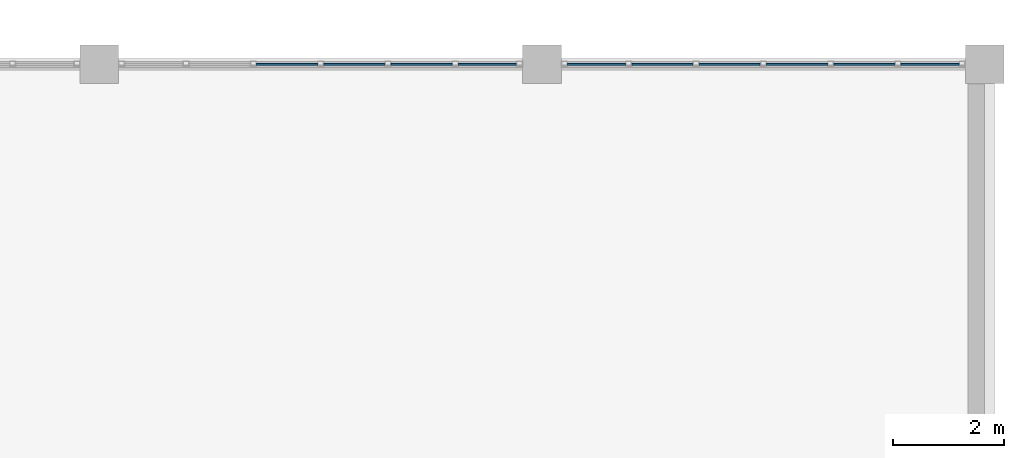
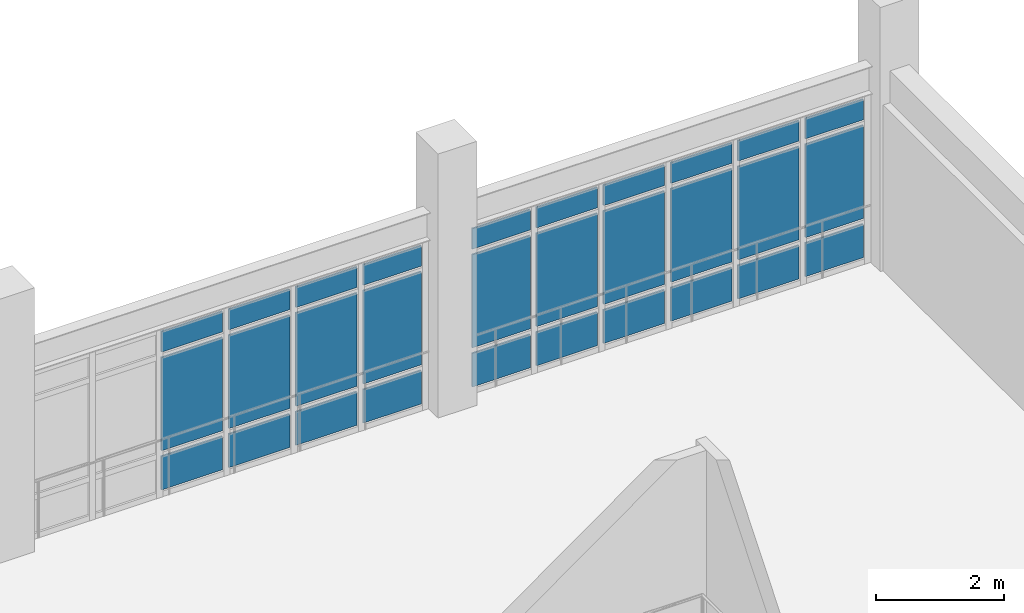
# One storey, part 115 of 159: 30 plates, 2 elements without a shape of their own.
"""IFC4 building model written with IfcOpenShell, lengths in metres."""

from ifc_helpers import new_model, si_unit, direction, frame, origin, origin_2d, place, context, subcontext, project, spatial, rectangle, extrude, material, layer, layer_set, type_object, element, aggregate, save


model = new_model("IFC4")

# Units and contexts
model_context = context("Model", 3, precision=1e-05, world=origin(), true_north=direction((0.0, 1.0)))
body_context = subcontext(model_context, "Body", "Model", "MODEL_VIEW")
ifc_project = project(units=[si_unit("LENGTHUNIT", "METRE"), si_unit("AREAUNIT", "SQUARE_METRE"), si_unit("VOLUMEUNIT", "CUBIC_METRE"), si_unit("PLANEANGLEUNIT", "RADIAN"), si_unit("MASSUNIT", "GRAM", prefix="KILO")], contexts=[model_context])

# Site, building, storey
site_placement = place(None, origin())
site = spatial("IfcSite", under=ifc_project, at=site_placement, CompositionType="ELEMENT")
building_placement = place(site_placement, origin())
building = spatial("IfcBuilding", under=site, at=building_placement, Name="Celadon Cloister-Ring School", CompositionType="ELEMENT")
storey_placement = place(building_placement, frame((0.0, 0.0, 4.5)))
storey = spatial("IfcBuildingStorey", under=building, at=storey_placement, Name="L01", CompositionType="ELEMENT", Elevation=4.5)

# Curtain wall, plates
ifc_material_1 = material(Name="Aluminium EN AW-6063 T6", Category="aluminium")
curtain_wall_type = type_object("IfcCurtainWallType", Name="CW-08", PredefinedType="USERDEFINED", material=ifc_material_1)
curtain_wall_1_placement = place(storey_placement, origin())
curtain_wall_1 = element("IfcCurtainWall", 1, at=curtain_wall_1_placement, inside=storey, type_object=curtain_wall_type, Name="Curtain Wall 0182", ObjectType="CURTAIN WALL", PredefinedType="USERDEFINED")
ifc_material_2 = material(Name="Tempered laminated insulating glass", Category="glass")
ifc_layer = layer(ifc_material_2, 0.028076171875)
ifc_layer_set = layer_set([ifc_layer], Name="Tempered laminated insulating glass")
plate_type = type_object("IfcPlateType", Name="CPN-02", PredefinedType="CURTAIN_PANEL", material=ifc_layer_set)
plate_1_placement = place(storey_placement, frame((161.3916015625, 114.0, 0.10498046875), z_axis=(0.0, 0.0, 1.0), x_axis=(1.0, 0.0, 0.0)))
plate_1 = element("IfcPlate", 2, at=plate_1_placement, type_object=plate_type, Name="CW-08 panel 3.1", PredefinedType="CURTAIN_PANEL", context=body_context, shape_type="SweptSolid", body=[
    extrude(rectangle(XDim=1.106689453125, YDim=0.028076171875, at=origin_2d()), origin(), (0.0, 0.0, 1.0), 0.642578125),
])
plate_2_placement = place(storey_placement, frame((161.3916015625, 114.0, 0.8525390625), z_axis=(0.0, 0.0, 1.0), x_axis=(1.0, 0.0, 0.0)))
plate_2 = element("IfcPlate", 3, at=plate_2_placement, type_object=plate_type, Name="CW-08 panel 3.2", PredefinedType="CURTAIN_PANEL", context=body_context, shape_type="SweptSolid", body=[
    extrude(rectangle(XDim=1.106689453125, YDim=0.028076171875, at=origin_2d()), origin(), (0.0, 0.0, 1.0), 1.783935546875),
])
plate_3_placement = place(storey_placement, frame((161.3916015625, 114.0, 2.741455078125), z_axis=(0.0, 0.0, 1.0), x_axis=(1.0, 0.0, 0.0)))
plate_3 = element("IfcPlate", 4, at=plate_3_placement, type_object=plate_type, Name="CW-08 panel 3.3", PredefinedType="CURTAIN_PANEL", context=body_context, shape_type="SweptSolid", body=[
    extrude(rectangle(XDim=1.106689453125, YDim=0.028076171875, at=origin_2d()), origin(), (0.0, 0.0, 1.0), 0.392578125),
])
plate_4_placement = place(storey_placement, frame((162.6083984375, 114.0, 0.10498046875), z_axis=(0.0, 0.0, 1.0), x_axis=(1.0, 0.0, 0.0)))
plate_4 = element("IfcPlate", 5, at=plate_4_placement, type_object=plate_type, Name="CW-08 panel 4.1", PredefinedType="CURTAIN_PANEL", context=body_context, shape_type="SweptSolid", body=[
    extrude(rectangle(XDim=1.106689453125, YDim=0.028076171875, at=origin_2d()), origin(), (0.0, 0.0, 1.0), 0.642578125),
])
plate_5_placement = place(storey_placement, frame((162.6083984375, 114.0, 0.8525390625), z_axis=(0.0, 0.0, 1.0), x_axis=(1.0, 0.0, 0.0)))
plate_5 = element("IfcPlate", 6, at=plate_5_placement, type_object=plate_type, Name="CW-08 panel 4.2", PredefinedType="CURTAIN_PANEL", context=body_context, shape_type="SweptSolid", body=[
    extrude(rectangle(XDim=1.106689453125, YDim=0.028076171875, at=origin_2d()), origin(), (0.0, 0.0, 1.0), 1.783935546875),
])
plate_6_placement = place(storey_placement, frame((162.6083984375, 114.0, 2.741455078125), z_axis=(0.0, 0.0, 1.0), x_axis=(1.0, 0.0, 0.0)))
plate_6 = element("IfcPlate", 7, at=plate_6_placement, type_object=plate_type, Name="CW-08 panel 4.3", PredefinedType="CURTAIN_PANEL", context=body_context, shape_type="SweptSolid", body=[
    extrude(rectangle(XDim=1.106689453125, YDim=0.028076171875, at=origin_2d()), origin(), (0.0, 0.0, 1.0), 0.392578125),
])
plate_7_placement = place(storey_placement, frame((163.824951171875, 114.0, 0.10498046875), z_axis=(0.0, 0.0, 1.0), x_axis=(1.0, 0.0, 0.0)))
plate_7 = element("IfcPlate", 8, at=plate_7_placement, type_object=plate_type, Name="CW-08 panel 5.1", PredefinedType="CURTAIN_PANEL", context=body_context, shape_type="SweptSolid", body=[
    extrude(rectangle(XDim=1.106689453125, YDim=0.028076171875, at=origin_2d()), origin(), (0.0, 0.0, 1.0), 0.642578125),
])
plate_8_placement = place(storey_placement, frame((163.824951171875, 114.0, 0.8525390625), z_axis=(0.0, 0.0, 1.0), x_axis=(1.0, 0.0, 0.0)))
plate_8 = element("IfcPlate", 9, at=plate_8_placement, type_object=plate_type, Name="CW-08 panel 5.2", PredefinedType="CURTAIN_PANEL", context=body_context, shape_type="SweptSolid", body=[
    extrude(rectangle(XDim=1.106689453125, YDim=0.028076171875, at=origin_2d()), origin(), (0.0, 0.0, 1.0), 1.783935546875),
])
plate_9_placement = place(storey_placement, frame((163.824951171875, 114.0, 2.741455078125), z_axis=(0.0, 0.0, 1.0), x_axis=(1.0, 0.0, 0.0)))
plate_9 = element("IfcPlate", 10, at=plate_9_placement, type_object=plate_type, Name="CW-08 panel 5.3", PredefinedType="CURTAIN_PANEL", context=body_context, shape_type="SweptSolid", body=[
    extrude(rectangle(XDim=1.106689453125, YDim=0.028076171875, at=origin_2d()), origin(), (0.0, 0.0, 1.0), 0.392578125),
])
plate_10_placement = place(storey_placement, frame((165.01416015625, 114.0, 0.10498046875), z_axis=(0.0, 0.0, 1.0), x_axis=(1.0, 0.0, 0.0)))
plate_10 = element("IfcPlate", 11, at=plate_10_placement, type_object=plate_type, Name="CW-08 panel 6.1", PredefinedType="CURTAIN_PANEL", context=body_context, shape_type="SweptSolid", body=[
    extrude(rectangle(XDim=1.0517578125, YDim=0.028076171875, at=origin_2d()), origin(), (0.0, 0.0, 1.0), 0.642578125),
])
plate_11_placement = place(storey_placement, frame((165.01416015625, 114.0, 0.8525390625), z_axis=(0.0, 0.0, 1.0), x_axis=(1.0, 0.0, 0.0)))
plate_11 = element("IfcPlate", 12, at=plate_11_placement, type_object=plate_type, Name="CW-08 panel 6.2", PredefinedType="CURTAIN_PANEL", context=body_context, shape_type="SweptSolid", body=[
    extrude(rectangle(XDim=1.0517578125, YDim=0.028076171875, at=origin_2d()), origin(), (0.0, 0.0, 1.0), 1.783935546875),
])
plate_12_placement = place(storey_placement, frame((165.01416015625, 114.0, 2.741455078125), z_axis=(0.0, 0.0, 1.0), x_axis=(1.0, 0.0, 0.0)))
plate_12 = element("IfcPlate", 13, at=plate_12_placement, type_object=plate_type, Name="CW-08 panel 6.3", PredefinedType="CURTAIN_PANEL", context=body_context, shape_type="SweptSolid", body=[
    extrude(rectangle(XDim=1.0517578125, YDim=0.028076171875, at=origin_2d()), origin(), (0.0, 0.0, 1.0), 0.392578125),
])
aggregate(curtain_wall_1, [plate_1, plate_2, plate_3, plate_4, plate_5, plate_6, plate_7, plate_8, plate_9, plate_10, plate_11, plate_12])

curtain_wall_2_placement = place(storey_placement, origin())
curtain_wall_2 = element("IfcCurtainWall", 14, at=curtain_wall_2_placement, inside=storey, type_object=curtain_wall_type, Name="Curtain Wall 0183", ObjectType="CURTAIN WALL", PredefinedType="USERDEFINED")
plate_13_placement = place(storey_placement, frame((166.98583984375, 114.0, 0.10498046875), z_axis=(0.0, 0.0, 1.0), x_axis=(1.0, 0.0, 0.0)))
plate_13 = element("IfcPlate", 15, at=plate_13_placement, type_object=plate_type, Name="CW-08 panel 1.1", PredefinedType="CURTAIN_PANEL", context=body_context, shape_type="SweptSolid", body=[
    extrude(rectangle(XDim=1.0517578125, YDim=0.028076171875, at=origin_2d()), origin(), (0.0, 0.0, 1.0), 0.642578125),
])
plate_14_placement = place(storey_placement, frame((166.98583984375, 114.0, 0.8525390625), z_axis=(0.0, 0.0, 1.0), x_axis=(1.0, 0.0, 0.0)))
plate_14 = element("IfcPlate", 16, at=plate_14_placement, type_object=plate_type, Name="CW-08 panel 1.2", PredefinedType="CURTAIN_PANEL", context=body_context, shape_type="SweptSolid", body=[
    extrude(rectangle(XDim=1.0517578125, YDim=0.028076171875, at=origin_2d()), origin(), (0.0, 0.0, 1.0), 1.783935546875),
])
plate_15_placement = place(storey_placement, frame((166.98583984375, 114.0, 2.741455078125), z_axis=(0.0, 0.0, 1.0), x_axis=(1.0, 0.0, 0.0)))
plate_15 = element("IfcPlate", 17, at=plate_15_placement, type_object=plate_type, Name="CW-08 panel 1.3", PredefinedType="CURTAIN_PANEL", context=body_context, shape_type="SweptSolid", body=[
    extrude(rectangle(XDim=1.0517578125, YDim=0.028076171875, at=origin_2d()), origin(), (0.0, 0.0, 1.0), 0.392578125),
])
plate_16_placement = place(storey_placement, frame((168.175048828125, 114.0, 0.10498046875), z_axis=(0.0, 0.0, 1.0), x_axis=(1.0, 0.0, 0.0)))
plate_16 = element("IfcPlate", 18, at=plate_16_placement, type_object=plate_type, Name="CW-08 panel 2.1", PredefinedType="CURTAIN_PANEL", context=body_context, shape_type="SweptSolid", body=[
    extrude(rectangle(XDim=1.106689453125, YDim=0.028076171875, at=origin_2d()), origin(), (0.0, 0.0, 1.0), 0.642578125),
])
plate_17_placement = place(storey_placement, frame((168.175048828125, 114.0, 0.8525390625), z_axis=(0.0, 0.0, 1.0), x_axis=(1.0, 0.0, 0.0)))
plate_17 = element("IfcPlate", 19, at=plate_17_placement, type_object=plate_type, Name="CW-08 panel 2.2", PredefinedType="CURTAIN_PANEL", context=body_context, shape_type="SweptSolid", body=[
    extrude(rectangle(XDim=1.106689453125, YDim=0.028076171875, at=origin_2d()), origin(), (0.0, 0.0, 1.0), 1.783935546875),
])
plate_18_placement = place(storey_placement, frame((168.175048828125, 114.0, 2.741455078125), z_axis=(0.0, 0.0, 1.0), x_axis=(1.0, 0.0, 0.0)))
plate_18 = element("IfcPlate", 20, at=plate_18_placement, type_object=plate_type, Name="CW-08 panel 2.3", PredefinedType="CURTAIN_PANEL", context=body_context, shape_type="SweptSolid", body=[
    extrude(rectangle(XDim=1.106689453125, YDim=0.028076171875, at=origin_2d()), origin(), (0.0, 0.0, 1.0), 0.392578125),
])
plate_19_placement = place(storey_placement, frame((169.3916015625, 114.0, 0.10498046875), z_axis=(0.0, 0.0, 1.0), x_axis=(1.0, 0.0, 0.0)))
plate_19 = element("IfcPlate", 21, at=plate_19_placement, type_object=plate_type, Name="CW-08 panel 3.1", PredefinedType="CURTAIN_PANEL", context=body_context, shape_type="SweptSolid", body=[
    extrude(rectangle(XDim=1.106689453125, YDim=0.028076171875, at=origin_2d()), origin(), (0.0, 0.0, 1.0), 0.642578125),
])
plate_20_placement = place(storey_placement, frame((169.3916015625, 114.0, 0.8525390625), z_axis=(0.0, 0.0, 1.0), x_axis=(1.0, 0.0, 0.0)))
plate_20 = element("IfcPlate", 22, at=plate_20_placement, type_object=plate_type, Name="CW-08 panel 3.2", PredefinedType="CURTAIN_PANEL", context=body_context, shape_type="SweptSolid", body=[
    extrude(rectangle(XDim=1.106689453125, YDim=0.028076171875, at=origin_2d()), origin(), (0.0, 0.0, 1.0), 1.783935546875),
])
plate_21_placement = place(storey_placement, frame((169.3916015625, 114.0, 2.741455078125), z_axis=(0.0, 0.0, 1.0), x_axis=(1.0, 0.0, 0.0)))
plate_21 = element("IfcPlate", 23, at=plate_21_placement, type_object=plate_type, Name="CW-08 panel 3.3", PredefinedType="CURTAIN_PANEL", context=body_context, shape_type="SweptSolid", body=[
    extrude(rectangle(XDim=1.106689453125, YDim=0.028076171875, at=origin_2d()), origin(), (0.0, 0.0, 1.0), 0.392578125),
])
plate_22_placement = place(storey_placement, frame((170.6083984375, 114.0, 0.10498046875), z_axis=(0.0, 0.0, 1.0), x_axis=(1.0, 0.0, 0.0)))
plate_22 = element("IfcPlate", 24, at=plate_22_placement, type_object=plate_type, Name="CW-08 panel 4.1", PredefinedType="CURTAIN_PANEL", context=body_context, shape_type="SweptSolid", body=[
    extrude(rectangle(XDim=1.106689453125, YDim=0.028076171875, at=origin_2d()), origin(), (0.0, 0.0, 1.0), 0.642578125),
])
plate_23_placement = place(storey_placement, frame((170.6083984375, 114.0, 0.8525390625), z_axis=(0.0, 0.0, 1.0), x_axis=(1.0, 0.0, 0.0)))
plate_23 = element("IfcPlate", 25, at=plate_23_placement, type_object=plate_type, Name="CW-08 panel 4.2", PredefinedType="CURTAIN_PANEL", context=body_context, shape_type="SweptSolid", body=[
    extrude(rectangle(XDim=1.106689453125, YDim=0.028076171875, at=origin_2d()), origin(), (0.0, 0.0, 1.0), 1.783935546875),
])
plate_24_placement = place(storey_placement, frame((170.6083984375, 114.0, 2.741455078125), z_axis=(0.0, 0.0, 1.0), x_axis=(1.0, 0.0, 0.0)))
plate_24 = element("IfcPlate", 26, at=plate_24_placement, type_object=plate_type, Name="CW-08 panel 4.3", PredefinedType="CURTAIN_PANEL", context=body_context, shape_type="SweptSolid", body=[
    extrude(rectangle(XDim=1.106689453125, YDim=0.028076171875, at=origin_2d()), origin(), (0.0, 0.0, 1.0), 0.392578125),
])
plate_25_placement = place(storey_placement, frame((171.824951171875, 114.0, 0.10498046875), z_axis=(0.0, 0.0, 1.0), x_axis=(1.0, 0.0, 0.0)))
plate_25 = element("IfcPlate", 27, at=plate_25_placement, type_object=plate_type, Name="CW-08 panel 5.1", PredefinedType="CURTAIN_PANEL", context=body_context, shape_type="SweptSolid", body=[
    extrude(rectangle(XDim=1.106689453125, YDim=0.028076171875, at=origin_2d()), origin(), (0.0, 0.0, 1.0), 0.642578125),
])
plate_26_placement = place(storey_placement, frame((171.824951171875, 114.0, 0.8525390625), z_axis=(0.0, 0.0, 1.0), x_axis=(1.0, 0.0, 0.0)))
plate_26 = element("IfcPlate", 28, at=plate_26_placement, type_object=plate_type, Name="CW-08 panel 5.2", PredefinedType="CURTAIN_PANEL", context=body_context, shape_type="SweptSolid", body=[
    extrude(rectangle(XDim=1.106689453125, YDim=0.028076171875, at=origin_2d()), origin(), (0.0, 0.0, 1.0), 1.783935546875),
])
plate_27_placement = place(storey_placement, frame((171.824951171875, 114.0, 2.741455078125), z_axis=(0.0, 0.0, 1.0), x_axis=(1.0, 0.0, 0.0)))
plate_27 = element("IfcPlate", 29, at=plate_27_placement, type_object=plate_type, Name="CW-08 panel 5.3", PredefinedType="CURTAIN_PANEL", context=body_context, shape_type="SweptSolid", body=[
    extrude(rectangle(XDim=1.106689453125, YDim=0.028076171875, at=origin_2d()), origin(), (0.0, 0.0, 1.0), 0.392578125),
])
plate_28_placement = place(storey_placement, frame((173.01416015625, 114.0, 0.10498046875), z_axis=(0.0, 0.0, 1.0), x_axis=(1.0, 0.0, 0.0)))
plate_28 = element("IfcPlate", 30, at=plate_28_placement, type_object=plate_type, Name="CW-08 panel 6.1", PredefinedType="CURTAIN_PANEL", context=body_context, shape_type="SweptSolid", body=[
    extrude(rectangle(XDim=1.0517578125, YDim=0.028076171875, at=origin_2d()), origin(), (0.0, 0.0, 1.0), 0.642578125),
])
plate_29_placement = place(storey_placement, frame((173.01416015625, 114.0, 0.8525390625), z_axis=(0.0, 0.0, 1.0), x_axis=(1.0, 0.0, 0.0)))
plate_29 = element("IfcPlate", 31, at=plate_29_placement, type_object=plate_type, Name="CW-08 panel 6.2", PredefinedType="CURTAIN_PANEL", context=body_context, shape_type="SweptSolid", body=[
    extrude(rectangle(XDim=1.0517578125, YDim=0.028076171875, at=origin_2d()), origin(), (0.0, 0.0, 1.0), 1.783935546875),
])
plate_30_placement = place(storey_placement, frame((173.01416015625, 114.0, 2.741455078125), z_axis=(0.0, 0.0, 1.0), x_axis=(1.0, 0.0, 0.0)))
plate_30 = element("IfcPlate", 32, at=plate_30_placement, type_object=plate_type, Name="CW-08 panel 6.3", PredefinedType="CURTAIN_PANEL", context=body_context, shape_type="SweptSolid", body=[
    extrude(rectangle(XDim=1.0517578125, YDim=0.028076171875, at=origin_2d()), origin(), (0.0, 0.0, 1.0), 0.392578125),
])
aggregate(curtain_wall_2, [plate_13, plate_14, plate_15, plate_16, plate_17, plate_18, plate_19, plate_20, plate_21, plate_22, plate_23, plate_24, plate_25, plate_26, plate_27, plate_28, plate_29, plate_30])

save(model, "model.ifc")
